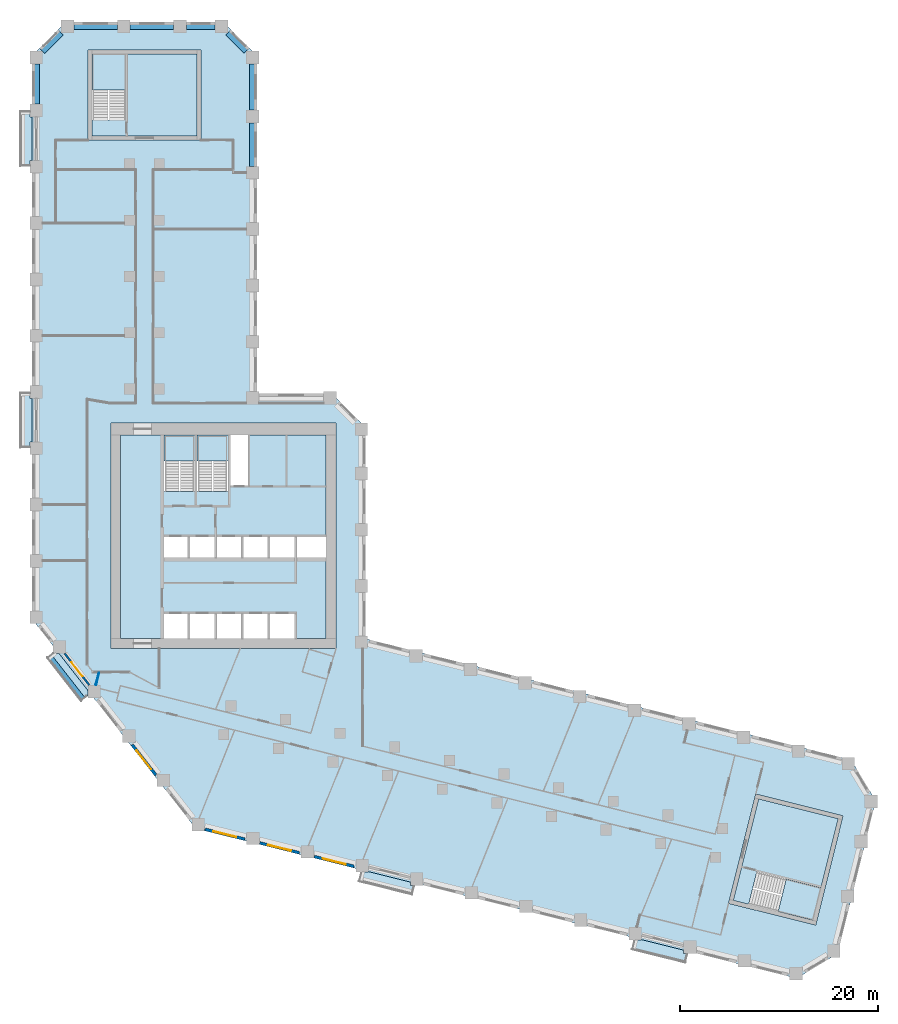
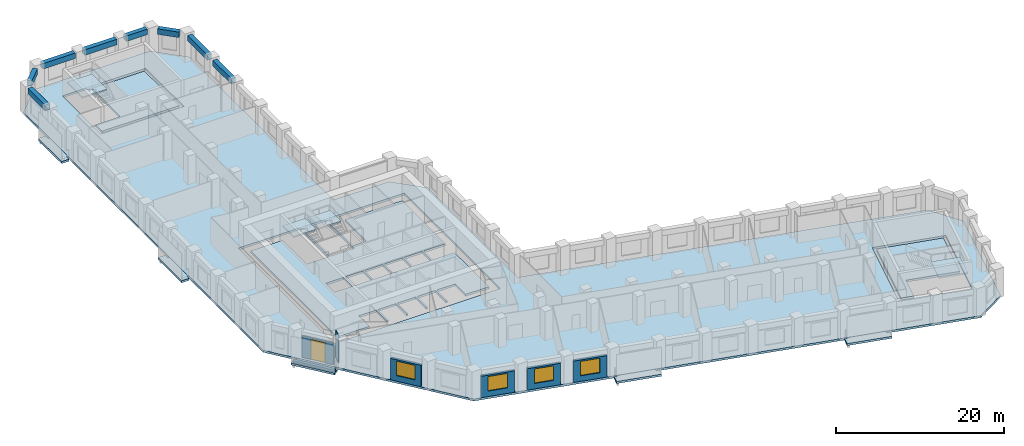
# One storey, part 2 of 10: 13 slabs, 8 beams, 7 walls, 4 windows, 1 door, 5 openings, 4 elements without a shape of their own.
"""IFC4 building model written with IfcOpenShell, lengths in metres."""

from ifc_helpers import new_model, si_unit, direction, frame, frame_2d, origin, origin_2d, place, context, subcontext, project, spatial, polyline, rectangle, outline, extrude, material, layer, layer_set, material_profile, profile_set, type_object, element, fill, aggregate, save


model = new_model("IFC4")

# Units and contexts
model_context = context("Model", 3, precision=1e-05, world=origin(), true_north=direction((0.0, 1.0)))
body_context = subcontext(model_context, "Body", "Model", "MODEL_VIEW")
ifc_project = project(units=[si_unit("LENGTHUNIT", "METRE"), si_unit("AREAUNIT", "SQUARE_METRE"), si_unit("VOLUMEUNIT", "CUBIC_METRE"), si_unit("PLANEANGLEUNIT", "RADIAN"), si_unit("MASSUNIT", "GRAM", prefix="KILO")], contexts=[model_context])

# Site, building, storey
site_placement = place(None, origin())
site = spatial("IfcSite", under=ifc_project, at=site_placement, CompositionType="ELEMENT")
building_placement = place(site_placement, origin())
building = spatial("IfcBuilding", under=site, at=building_placement, Name="Meshkara Civic Tower", CompositionType="ELEMENT")
storey_placement = place(building_placement, frame((0.0, 0.0, 126.60009765625)))
storey = spatial("IfcBuildingStorey", under=building, at=storey_placement, Name="L28", CompositionType="ELEMENT", Elevation=126.60009765625)

# Beams
ifc_material_1 = material(Name="Concrete C70", Category="concrete")
ifc_material_profile = material_profile(ifc_material_1, rectangle(XDim=0.60009765625, YDim=0.800048828125, at=origin_2d()))
ifc_profile_set = profile_set([ifc_material_profile], Name="Concrete C70")
beam_type = type_object("IfcBeamType", Name="Spandrel beam RC 600x800 C70", PredefinedType="BEAM", material=ifc_profile_set)
beam_1_placement = place(storey_placement, frame((22.35009765625, 62.89501953125, 3.5), z_axis=(0.0, 1.0, 0.0), x_axis=(-1.0, 0.0, 0.0)))
element("IfcBeam", 1, at=beam_1_placement, inside=storey, type_object=beam_type, Name="Spandrel beam AE04-AE05", PredefinedType="BEAM", context=body_context, shape_type="SweptSolid", body=[
    extrude(rectangle(XDim=0.60009765625, YDim=0.800048828125, at=origin_2d()), origin(), (0.0, 0.0, 1.0), 4.409912109375),
])
beam_2_placement = place(storey_placement, frame((22.35009765625, 68.594970703125, 3.5), z_axis=(0.0, 1.0, 0.0), x_axis=(-1.0, 0.0, 0.0)))
element("IfcBeam", 2, at=beam_2_placement, inside=storey, type_object=beam_type, Name="Spandrel beam AE05-AEEP1", PredefinedType="BEAM", context=body_context, shape_type="SweptSolid", body=[
    extrude(rectangle(XDim=0.60009765625, YDim=0.800048828125, at=origin_2d()), origin(), (0.0, 0.0, 1.0), 4.674072265625),
])
beam_3_placement = place(storey_placement, frame((21.70361328125, 74.560546875, 3.5), z_axis=(-0.707106781187, 0.707106781187, 0.0), x_axis=(-0.707106781187, -0.707106781187, 0.0)))
element("IfcBeam", 3, at=beam_3_placement, inside=storey, type_object=beam_type, Name="Spandrel beam AEEP1-ATiEP1", PredefinedType="BEAM", context=body_context, shape_type="SweptSolid", body=[
    extrude(rectangle(XDim=0.60009765625, YDim=0.800048828125, at=origin_2d()), origin(), (0.0, 0.0, 1.0), 2.634765625),
])
beam_4_placement = place(storey_placement, frame((18.549072265625, 77.070068359375, 3.5), z_axis=(-1.0, 0.0, 0.0), x_axis=(0.0, -1.0, 0.0)))
element("IfcBeam", 4, at=beam_4_placement, inside=storey, type_object=beam_type, Name="Spandrel beam AT02-P1-ATiEP1", PredefinedType="BEAM", context=body_context, shape_type="SweptSolid", body=[
    extrude(rectangle(XDim=0.60009765625, YDim=0.800048828125, at=origin_2d()), origin(), (0.0, 0.0, 1.0), 2.898193359375),
])
beam_5_placement = place(storey_placement, frame((14.361083984375, 77.070068359375, 3.5), z_axis=(-1.0, 0.0, 0.0), x_axis=(0.0, -1.0, 0.0)))
element("IfcBeam", 5, at=beam_5_placement, inside=storey, type_object=beam_type, Name="Spandrel beam AT01-P1-AT02-P1", PredefinedType="BEAM", context=body_context, shape_type="SweptSolid", body=[
    extrude(rectangle(XDim=0.60009765625, YDim=0.800048828125, at=origin_2d()), origin(), (0.0, 0.0, 1.0), 4.41015625),
])
beam_6_placement = place(storey_placement, frame((8.660888671875, 77.070068359375, 3.5), z_axis=(-1.0, 0.0, 0.0), x_axis=(0.0, -1.0, 0.0)))
element("IfcBeam", 6, at=beam_6_placement, inside=storey, type_object=beam_type, Name="Spandrel beam AT00-P1-AT01-P1", PredefinedType="BEAM", context=body_context, shape_type="SweptSolid", body=[
    extrude(rectangle(XDim=0.60009765625, YDim=0.800048828125, at=origin_2d()), origin(), (0.0, 0.0, 1.0), 4.409912109375),
])
beam_7_placement = place(storey_placement, frame((2.95947265625, 76.423583984375, 3.5), z_axis=(-0.707106781187, -0.707106781187, 0.0), x_axis=(0.707106781187, -0.707106781187, 0.0)))
element("IfcBeam", 7, at=beam_7_placement, inside=storey, type_object=beam_type, Name="Spandrel beam AT00-P1-ATo00-P1", PredefinedType="BEAM", context=body_context, shape_type="SweptSolid", body=[
    extrude(rectangle(XDim=0.60009765625, YDim=0.800048828125, at=origin_2d()), origin(), (0.0, 0.0, 1.0), 2.634765625),
])
beam_8_placement = place(storey_placement, frame((0.449951171875, 73.26904296875, 3.5), z_axis=(0.0, -1.0, 0.0), x_axis=(1.0, 0.0, 0.0)))
element("IfcBeam", 8, at=beam_8_placement, inside=storey, type_object=beam_type, Name="Spandrel beam ATo00-P1-AW09", PredefinedType="BEAM", context=body_context, shape_type="SweptSolid", body=[
    extrude(rectangle(XDim=0.60009765625, YDim=0.800048828125, at=origin_2d()), origin(), (0.0, 0.0, 1.0), 4.069091796875),
])

# Slabs
ifc_material_2 = material(Name="Concrete C40", Category="concrete")
ifc_layer_1 = layer(ifc_material_2, 0.300048828125)
ifc_layer_set_1 = layer_set([ifc_layer_1], Name="BALCONY SLAB")
slab_type_1 = type_object("IfcSlabType", Name="BALCONY SLAB", PredefinedType="FLOOR", material=ifc_layer_set_1)
slab_1_placement = place(storey_placement, frame((0.0, 0.0, -0.300048828125)))
element("IfcSlab", 9, at=slab_1_placement, inside=storey, type_object=slab_type_1, Name="Balcony slab", PredefinedType="FLOOR", context=body_context, shape_type="SweptSolid", body=[
    extrude(outline(polyline([(-1.199951171875, 62.9150390625), (-1.199951171875, 68.4951171875), (-0.199951171875, 68.4951171875), (-0.199951171875, 67.905029296875), (0.0, 67.905029296875), (0.0, 63.5048828125), (-0.199951171875, 63.5048828125), (-0.199951171875, 62.9150390625), (-1.199951171875, 62.9150390625)])), origin(), (0.0, 0.0, 1.0), 0.300048828125),
])
slab_2_placement = place(storey_placement, frame((0.0, 0.0, -0.300048828125)))
element("IfcSlab", 10, at=slab_2_placement, inside=storey, type_object=slab_type_1, Name="Balcony slab", PredefinedType="FLOOR", context=body_context, shape_type="SweptSolid", body=[
    extrude(outline(polyline([(-1.199951171875, 34.4150390625), (-1.199951171875, 39.9951171875), (-0.199951171875, 39.9951171875), (-0.199951171875, 39.405029296875), (0.0, 39.405029296875), (0.0, 35.0048828125), (-0.199951171875, 35.0048828125), (-0.199951171875, 34.4150390625), (-1.199951171875, 34.4150390625)])), origin(), (0.0, 0.0, 1.0), 0.300048828125),
])
slab_3_placement = place(storey_placement, frame((0.0, 0.0, -0.300048828125)))
element("IfcSlab", 11, at=slab_3_placement, inside=storey, type_object=slab_type_1, Name="Balcony slab", PredefinedType="FLOOR", context=body_context, shape_type="SweptSolid", body=[
    extrude(outline(polyline([(4.986083984375, 8.76904296875), (1.551025390625, 13.166015625), (2.1640625, 13.64501953125), (2.1640625, 13.5791015625), (2.7509765625, 13.5791015625), (5.673095703125, 9.839111328125), (5.673095703125, 9.304931640625), (4.986083984375, 8.76904296875)])), origin(), (0.0, 0.0, 1.0), 0.300048828125),
])
slab_4_placement = place(storey_placement, frame((0.0, 0.0, -0.300048828125)))
element("IfcSlab", 12, at=slab_4_placement, inside=storey, type_object=slab_type_1, Name="Balcony slab", PredefinedType="FLOOR", context=body_context, shape_type="SweptSolid", body=[
    extrude(outline(polyline([(38.51708984375, -10.840087890625), (33.10205078125, -9.489990234375), (33.343017578125, -8.52490234375), (34.093017578125, -8.52490234375), (34.093017578125, -8.5), (38.323974609375, -9.554931640625), (38.323974609375, -9.903076171875), (38.75, -9.903076171875), (38.51708984375, -10.840087890625)])), origin(), (0.0, 0.0, 1.0), 0.300048828125),
])
slab_5_placement = place(storey_placement, frame((0.0, 0.0, -0.300048828125)))
element("IfcSlab", 13, at=slab_5_placement, inside=storey, type_object=slab_type_1, Name="Balcony slab", PredefinedType="FLOOR", context=body_context, shape_type="SweptSolid", body=[
    extrude(outline(polyline([(66.169921875, -17.73388671875), (60.756103515625, -16.385009765625), (60.9970703125, -15.4189453125), (61.7470703125, -15.4189453125), (61.7470703125, -15.39501953125), (65.97705078125, -16.449951171875), (65.97705078125, -16.798095703125), (66.403076171875, -16.798095703125), (66.169921875, -17.73388671875)])), origin(), (0.0, 0.0, 1.0), 0.300048828125),
])
ifc_material_3 = material(Name="Concrete C40/50", Category="concrete")
ifc_layer_2 = layer(ifc_material_3, 0.300048828125)
ifc_layer_set_2 = layer_set([ifc_layer_2], Name="Core floor slab 300 C40/50")
slab_type_2 = type_object("IfcSlabType", Name="Core floor slab 300 C40/50", PredefinedType="FLOOR", material=ifc_layer_set_2)
slab_6_placement = place(storey_placement, frame((0.0, 0.0, -0.300048828125)))
element("IfcSlab", 14, at=slab_6_placement, inside=storey, type_object=slab_type_2, Name="Core floor K", PredefinedType="FLOOR", context=body_context, shape_type="SweptSolid", body=[
    extrude(outline(polyline([(9.0, 35.699951171875), (13.39990234375, 35.699951171875), (13.39990234375, 30.00146484375), (16.5, 30.00146484375), (16.5, 35.699951171875), (16.699951171875, 35.699951171875), (16.699951171875, 30.00146484375), (19.89990234375, 30.00146484375), (19.89990234375, 35.699951171875), (20.10009765625, 35.699951171875), (20.10009765625, 30.574951171875), (21.925048828125, 30.574951171875), (21.925048828125, 35.699951171875), (29.800048828125, 35.699951171875), (29.800048828125, 25.39990234375), (26.800048828125, 25.39990234375), (26.800048828125, 23.300048828125), (29.800048828125, 23.300048828125), (29.800048828125, 15.10009765625), (26.60009765625, 15.10009765625), (26.60009765625, 17.60009765625), (24.10009765625, 17.60009765625), (24.10009765625, 15.10009765625), (23.89990234375, 15.10009765625), (23.89990234375, 17.60009765625), (21.39990234375, 17.60009765625), (21.39990234375, 15.10009765625), (21.199951171875, 15.10009765625), (21.199951171875, 17.60009765625), (18.699951171875, 17.60009765625), (18.699951171875, 15.10009765625), (18.5, 15.10009765625), (18.5, 17.60009765625), (16.0, 17.60009765625), (16.0, 15.10009765625), (15.800048828125, 15.10009765625), (15.800048828125, 17.60009765625), (13.39990234375, 17.60009765625), (13.39990234375, 15.10009765625), (9.0, 15.10009765625), (9.0, 35.699951171875)]), holes=[polyline([(13.39990234375, 25.39990234375), (13.39990234375, 23.300048828125), (15.800048828125, 23.300048828125), (15.800048828125, 25.39990234375), (13.39990234375, 25.39990234375)]), polyline([(18.5, 23.300048828125), (18.5, 25.39990234375), (16.0, 25.39990234375), (16.0, 23.300048828125), (18.5, 23.300048828125)]), polyline([(18.699951171875, 25.39990234375), (18.699951171875, 23.300048828125), (21.199951171875, 23.300048828125), (21.199951171875, 25.39990234375), (18.699951171875, 25.39990234375)]), polyline([(23.89990234375, 23.300048828125), (23.89990234375, 25.39990234375), (21.39990234375, 25.39990234375), (21.39990234375, 23.300048828125), (23.89990234375, 23.300048828125)]), polyline([(26.60009765625, 23.300048828125), (26.60009765625, 25.39990234375), (24.10009765625, 25.39990234375), (24.10009765625, 23.300048828125), (26.60009765625, 23.300048828125)])]), origin(), (0.0, 0.0, 1.0), 0.300048828125),
])
slab_7_placement = place(storey_placement, frame((0.0, 0.0, -0.300048828125)))
element("IfcSlab", 15, at=slab_7_placement, inside=storey, type_object=slab_type_2, Name="Core floor EA", PredefinedType="FLOOR", context=body_context, shape_type="SweptSolid", body=[
    extrude(outline(polyline([(16.699951171875, 65.969970703125), (16.699951171875, 74.27001953125), (9.5, 74.27001953125), (9.5, 67.571533203125), (6.10009765625, 67.571533203125), (6.10009765625, 65.969970703125), (16.699951171875, 65.969970703125)])), origin(), (0.0, 0.0, 1.0), 0.300048828125),
])
slab_8_placement = place(storey_placement, frame((0.0, 0.0, -0.300048828125)))
element("IfcSlab", 16, at=slab_8_placement, inside=storey, type_object=slab_type_2, Name="Core floor EB", PredefinedType="FLOOR", context=body_context, shape_type="SweptSolid", body=[
    extrude(outline(polyline([(73.581298828125, -1.134521484375), (81.634521484375, -3.142578125), (79.892822265625, -10.128662109375), (73.393310546875, -8.508056640625), (72.57080078125, -11.80712890625), (71.016845703125, -11.419677734375), (73.581298828125, -1.134521484375)])), origin(), (0.0, 0.0, 1.0), 0.300048828125),
])

# Stair, slab
ifc_material_4 = material(Name="Precast concrete C40/50", Category="concrete")
stair_type_1 = type_object("IfcStairType", Name="Exit stair half-turn 24 risers precast", PredefinedType="HALF_TURN_STAIR", material=ifc_material_4)
stair_1_placement = place(storey_placement, origin())
stair_1 = element("IfcStair", 17, at=stair_1_placement, inside=storey, type_object=stair_type_1, Name="L28 exit stair 1", PredefinedType="HALF_TURN_STAIR")
ifc_material_5 = material(Name="Precast concrete C40/50", Category="concrete")
ifc_layer_3 = layer(ifc_material_5, 0.199951171875)
ifc_layer_set_3 = layer_set([ifc_layer_3], Name="Exit stair landing 200")
slab_type_3 = type_object("IfcSlabType", Name="Exit stair landing 200", PredefinedType="LANDING", material=ifc_layer_set_3)
slab_9_placement = place(storey_placement, frame((0.0, 0.0, 1.89990234375)))
slab_9 = element("IfcSlab", 18, at=slab_9_placement, type_object=slab_type_3, Name="ST1 landing 1", PredefinedType="LANDING", context=body_context, shape_type="SweptSolid", body=[
    extrude(outline(polyline([(16.5, 33.07861328125), (16.5, 35.699951171875), (13.39990234375, 35.699951171875), (13.39990234375, 33.07861328125), (16.5, 33.07861328125)])), origin(), (0.0, 0.0, 1.0), 0.199951171875),
])
aggregate(stair_1, [slab_9])

stair_2_placement = place(storey_placement, origin())
stair_2 = element("IfcStair", 19, at=stair_2_placement, inside=storey, type_object=stair_type_1, Name="L28 exit stair 2", PredefinedType="HALF_TURN_STAIR")
slab_10_placement = place(storey_placement, frame((0.0, 0.0, 1.89990234375)))
slab_10 = element("IfcSlab", 20, at=slab_10_placement, type_object=slab_type_3, Name="ST2 landing 1", PredefinedType="LANDING", context=body_context, shape_type="SweptSolid", body=[
    extrude(outline(polyline([(19.89990234375, 33.07861328125), (19.89990234375, 35.699951171875), (16.699951171875, 35.699951171875), (16.699951171875, 33.07861328125), (19.89990234375, 33.07861328125)])), origin(), (0.0, 0.0, 1.0), 0.199951171875),
])
aggregate(stair_2, [slab_10])

ifc_material_6 = material(Name="Precast concrete C40/50", Category="concrete")
stair_type_2 = type_object("IfcStairType", Name="Exit stair half-turn 24 risers 1600 precast", PredefinedType="HALF_TURN_STAIR", material=ifc_material_6)
stair_3_placement = place(storey_placement, origin())
stair_3 = element("IfcStair", 21, at=stair_3_placement, inside=storey, type_object=stair_type_2, Name="L28 exit stair A from L20", PredefinedType="HALF_TURN_STAIR")
slab_11_placement = place(storey_placement, frame((0.0, 0.0, 1.89990234375)))
slab_11 = element("IfcSlab", 22, at=slab_11_placement, type_object=slab_type_3, Name="ESA2 landing 1", PredefinedType="LANDING", context=body_context, shape_type="SweptSolid", body=[
    extrude(outline(polyline([(9.5, 70.6484375), (9.5, 74.27001953125), (6.10009765625, 74.27001953125), (6.10009765625, 70.6484375), (9.5, 70.6484375)])), origin(), (0.0, 0.0, 1.0), 0.199951171875),
])
aggregate(stair_3, [slab_11])

stair_4_placement = place(storey_placement, origin())
stair_4 = element("IfcStair", 23, at=stair_4_placement, inside=storey, type_object=stair_type_2, Name="L28 exit stair B from L20", PredefinedType="HALF_TURN_STAIR")
slab_12_placement = place(storey_placement, frame((0.0, 0.0, 1.89990234375)))
slab_12 = element("IfcSlab", 24, at=slab_12_placement, type_object=slab_type_3, Name="ESB2 landing 1", PredefinedType="LANDING", context=body_context, shape_type="SweptSolid", body=[
    extrude(outline(polyline([(75.5556640625, -12.55224609375), (79.06982421875, -13.428955078125), (79.89306640625, -10.12890625), (76.379150390625, -9.25244140625), (75.5556640625, -12.55224609375)])), origin(), (0.0, 0.0, 1.0), 0.199951171875),
])
aggregate(stair_4, [slab_12])

# Slab
ifc_material_7 = material(Name="Concrete C50", Category="concrete")
ifc_layer_4 = layer(ifc_material_7, 0.300048828125)
ifc_layer_set_4 = layer_set([ifc_layer_4], Name="Post-tensioned flat slab 300 C50")
slab_type_4 = type_object("IfcSlabType", Name="Post-tensioned flat slab 300 C50", PredefinedType="FLOOR", material=ifc_layer_set_4)
slab_13_placement = place(storey_placement, frame((0.0, 0.0, -0.300048828125)))
element("IfcSlab", 25, at=slab_13_placement, inside=storey, type_object=slab_type_4, Name="Post-tensioned flat slab L28", PredefinedType="FLOOR", context=body_context, shape_type="SweptSolid", body=[
    extrude(outline(polyline([(81.574951171875, -16.81396484375), (77.429931640625, -19.304931640625), (16.592041015625, -4.136962890625), (0.0, 17.10009765625), (0.0, 74.10009765625), (3.419921875, 77.52001953125), (19.3798828125, 77.52001953125), (22.800048828125, 74.10009765625), (22.800048828125, 39.89990234375), (30.3798828125, 39.89990234375), (33.800048828125, 36.47998046875), (33.800048828125, 15.071044921875), (82.945068359375, 2.81689453125), (85.43603515625, -1.327880859375), (81.574951171875, -16.81396484375)]), holes=[polyline([(79.362060546875, -13.9130859375), (82.1201171875, -2.85107421875), (73.2900390625, -0.64990234375), (70.531982421875, -11.7109375), (79.362060546875, -13.9130859375)]), polyline([(8.0, 14.10009765625), (30.800048828125, 14.10009765625), (30.800048828125, 36.89990234375), (8.0, 36.89990234375), (8.0, 14.10009765625)]), polyline([(5.699951171875, 74.669921875), (5.699951171875, 65.570068359375), (17.10009765625, 65.570068359375), (17.10009765625, 74.669921875), (5.699951171875, 74.669921875)])]), origin(), (0.0, 0.0, 1.0), 0.300048828125),
])

# Wall, opening, window
ifc_material_8 = material(Name="Insulated infill panel with bronze anodised aluminium cladding", Category="aluminium")
ifc_layer_5 = layer(ifc_material_8, 0.300048828125)
ifc_layer_set_5 = layer_set([ifc_layer_5], Name="EXTERNAL INFILL WALL 300")
wall_type_1 = type_object("IfcWallType", Name="EXTERNAL INFILL WALL 300", PredefinedType="SOLIDWALL", material=ifc_layer_set_5)
wall_1_placement = place(storey_placement, frame((10.157958984375, 4.341064453125, 0.0), z_axis=(0.0, 0.0, 1.0), x_axis=(0.615779754703, -0.787918329332, 0.0)))
wall_1 = element("IfcWall", 26, at=wall_1_placement, inside=storey, type_object=wall_type_1, Name="External wall", PredefinedType="SOLIDWALL", context=body_context, shape_type="SweptSolid", body=[
    extrude(rectangle(XDim=3.874755859375, YDim=0.300048828125, at=frame_2d((1.9375, 0.0))), origin(), (0.0, 0.0, 1.0), 3.099853515625),
])
opening_1_placement = place(wall_1_placement, frame((0.737060546875, 0.0, 0.800048828125)))
opening_1 = element("IfcOpeningElement", 27, at=opening_1_placement, cuts=wall_1, Name="Opening W7", PredefinedType="OPENING", context=body_context, shape_type="SweptSolid", body=[
    extrude(rectangle(XDim=2.39990234375, YDim=2.10009765625, at=frame_2d((1.199951171875, 1.050048828125))), frame((0.0, 0.159912109375, 0.0), z_axis=(0.0, -1.0, 0.0), x_axis=(1.0, 0.0, 0.0)), (0.0, 0.0, 1.0), 0.320068359375),
])
ifc_material_9 = material(Name="Tinted double glazing", Category="glass")
window_type = type_object("IfcWindowType", Name="WINDOW 2400x2100", PartitioningType="DOUBLE_PANEL_VERTICAL", PredefinedType="WINDOW", material=ifc_material_9)
window_1_placement = place(opening_1_placement, origin())
window_1 = element("IfcWindow", 28, at=window_1_placement, inside=storey, type_object=window_type, Name="Window", OverallHeight=2.10009765625, OverallWidth=2.39990234375, PartitioningType="DOUBLE_PANEL_VERTICAL", PredefinedType="WINDOW", context=body_context, shape_type="SweptSolid", body=[
    extrude(rectangle(XDim=2.39990234375, YDim=2.10009765625, at=frame_2d((1.199951171875, 1.050048828125))), frame((0.0, 0.030029296875, 0.0), z_axis=(0.0, -1.0, 0.0), x_axis=(1.0, 0.0, 0.0)), (0.0, 0.0, 1.0), 0.06005859375),
])
fill(opening_1, window_1)

wall_2_placement = place(storey_placement, frame((17.54296875, -4.219970703125, 0.0), z_axis=(0.0, 0.0, 1.0), x_axis=(0.970337184445, -0.241755555227, 0.0)))
wall_2 = element("IfcWall", 29, at=wall_2_placement, inside=storey, type_object=wall_type_1, Name="External wall", PredefinedType="SOLIDWALL", context=body_context, shape_type="SweptSolid", body=[
    extrude(rectangle(XDim=4.124267578125, YDim=0.300048828125, at=frame_2d((2.06201171875, 0.0))), origin(), (0.0, 0.0, 1.0), 3.099853515625),
])
opening_2_placement = place(wall_2_placement, frame((0.862060546875, 0.0, 0.800048828125)))
opening_2 = element("IfcOpeningElement", 30, at=opening_2_placement, cuts=wall_2, Name="Opening W7", PredefinedType="OPENING", context=body_context, shape_type="SweptSolid", body=[
    extrude(rectangle(XDim=2.39990234375, YDim=2.10009765625, at=frame_2d((1.199951171875, 1.050048828125))), frame((0.0, 0.159912109375, 0.0), z_axis=(0.0, -1.0, 0.0), x_axis=(1.0, 0.0, 0.0)), (0.0, 0.0, 1.0), 0.320068359375),
])
window_2_placement = place(opening_2_placement, origin())
window_2 = element("IfcWindow", 31, at=window_2_placement, inside=storey, type_object=window_type, Name="Window", OverallHeight=2.10009765625, OverallWidth=2.39990234375, PartitioningType="DOUBLE_PANEL_VERTICAL", PredefinedType="WINDOW", context=body_context, shape_type="SweptSolid", body=[
    extrude(rectangle(XDim=2.39990234375, YDim=2.10009765625, at=frame_2d((1.199951171875, 1.050048828125))), frame((0.0, 0.030029296875, 0.0), z_axis=(0.0, -1.0, 0.0), x_axis=(1.0, 0.0, 0.0)), (0.0, 0.0, 1.0), 0.06005859375),
])
fill(opening_2, window_2)

wall_3_placement = place(storey_placement, frame((23.073974609375, -5.597900390625, 0.0), z_axis=(0.0, 0.0, 1.0), x_axis=(0.970267747908, -0.242034083076, 0.0)))
wall_3 = element("IfcWall", 32, at=wall_3_placement, inside=storey, type_object=wall_type_1, Name="External wall", PredefinedType="SOLIDWALL", context=body_context, shape_type="SweptSolid", body=[
    extrude(rectangle(XDim=4.12353515625, YDim=0.300048828125, at=frame_2d((2.061767578125, 0.0))), origin(), (0.0, 0.0, 1.0), 3.099853515625),
])
opening_3_placement = place(wall_3_placement, frame((0.862060546875, 0.0, 0.800048828125)))
opening_3 = element("IfcOpeningElement", 33, at=opening_3_placement, cuts=wall_3, Name="Opening W7", PredefinedType="OPENING", context=body_context, shape_type="SweptSolid", body=[
    extrude(rectangle(XDim=2.39990234375, YDim=2.10009765625, at=frame_2d((1.199951171875, 1.050048828125))), frame((0.0, 0.159912109375, 0.0), z_axis=(0.0, -1.0, 0.0), x_axis=(1.0, 0.0, 0.0)), (0.0, 0.0, 1.0), 0.320068359375),
])
window_3_placement = place(opening_3_placement, origin())
window_3 = element("IfcWindow", 34, at=window_3_placement, inside=storey, type_object=window_type, Name="Window", OverallHeight=2.10009765625, OverallWidth=2.39990234375, PartitioningType="DOUBLE_PANEL_VERTICAL", PredefinedType="WINDOW", context=body_context, shape_type="SweptSolid", body=[
    extrude(rectangle(XDim=2.39990234375, YDim=2.10009765625, at=frame_2d((1.199951171875, 1.050048828125))), frame((0.0, 0.030029296875, 0.0), z_axis=(0.0, -1.0, 0.0), x_axis=(1.0, 0.0, 0.0)), (0.0, 0.0, 1.0), 0.06005859375),
])
fill(opening_3, window_3)

wall_4_placement = place(storey_placement, frame((28.60400390625, -6.97705078125, 0.0), z_axis=(0.0, 0.0, 1.0), x_axis=(0.970281616392, -0.241978480223, 0.0)))
wall_4 = element("IfcWall", 35, at=wall_4_placement, inside=storey, type_object=wall_type_1, Name="External wall", PredefinedType="SOLIDWALL", context=body_context, shape_type="SweptSolid", body=[
    extrude(rectangle(XDim=4.12451171875, YDim=0.300048828125, at=frame_2d((2.062255859375, 0.0))), origin(), (0.0, 0.0, 1.0), 3.099853515625),
])
opening_4_placement = place(wall_4_placement, frame((0.862060546875, 0.0, 0.800048828125)))
opening_4 = element("IfcOpeningElement", 36, at=opening_4_placement, cuts=wall_4, Name="Opening W7", PredefinedType="OPENING", context=body_context, shape_type="SweptSolid", body=[
    extrude(rectangle(XDim=2.39990234375, YDim=2.10009765625, at=frame_2d((1.199951171875, 1.050048828125))), frame((0.0, 0.159912109375, 0.0), z_axis=(0.0, -1.0, 0.0), x_axis=(1.0, 0.0, 0.0)), (0.0, 0.0, 1.0), 0.320068359375),
])
window_4_placement = place(opening_4_placement, origin())
window_4 = element("IfcWindow", 37, at=window_4_placement, inside=storey, type_object=window_type, Name="Window", OverallHeight=2.10009765625, OverallWidth=2.39990234375, PartitioningType="DOUBLE_PANEL_VERTICAL", PredefinedType="WINDOW", context=body_context, shape_type="SweptSolid", body=[
    extrude(rectangle(XDim=2.39990234375, YDim=2.10009765625, at=frame_2d((1.199951171875, 1.050048828125))), frame((0.0, 0.030029296875, 0.0), z_axis=(0.0, -1.0, 0.0), x_axis=(1.0, 0.0, 0.0)), (0.0, 0.0, 1.0), 0.06005859375),
])
fill(opening_4, window_4)

# Wall, opening, door
ifc_material_10 = material(Name="Insulated infill panel with bronze anodised aluminium cladding", Category="aluminium")
ifc_layer_6 = layer(ifc_material_10, 0.199951171875)
ifc_layer_set_6 = layer_set([ifc_layer_6], Name="LOGGIA BACK WALL 200")
wall_type_2 = type_object("IfcWallType", Name="LOGGIA BACK WALL 200", PredefinedType="SOLIDWALL", material=ifc_layer_set_6)
wall_5_placement = place(storey_placement, frame((3.322021484375, 13.5791015625, 0.0), z_axis=(0.0, 0.0, 1.0), x_axis=(0.615500153734, -0.78813676526, 0.0)))
wall_5 = element("IfcWall", 38, at=wall_5_placement, inside=storey, type_object=wall_type_2, Name="Loggia wall", PredefinedType="SOLIDWALL", context=body_context, shape_type="SweptSolid", body=[
    extrude(rectangle(XDim=4.05029296875, YDim=0.199951171875, at=frame_2d((2.025146484375, 0.0))), origin(), (0.0, 0.0, 1.0), 3.099853515625),
])
opening_5_placement = place(wall_5_placement, frame((1.125, 0.0, 0.0)))
opening_5 = element("IfcOpeningElement", 39, at=opening_5_placement, cuts=wall_5, Name="Opening L28-L003", PredefinedType="OPENING", context=body_context, shape_type="SweptSolid", body=[
    extrude(rectangle(XDim=1.800048828125, YDim=2.89990234375, at=frame_2d((0.89990234375, 1.449951171875))), frame((0.0, 0.10986328125, 0.0), z_axis=(0.0, -1.0, 0.0), x_axis=(1.0, 0.0, 0.0)), (0.0, 0.0, 1.0), 0.219970703125),
])
ifc_material_11 = material(Name="Tinted double glazing", Category="glass")
door_type = type_object("IfcDoorType", Name="LOGGIA DOOR 1800x2900", OperationType="DOUBLE_DOOR_SINGLE_SWING", PredefinedType="DOOR", material=ifc_material_11)
door_placement = place(opening_5_placement, origin())
door = element("IfcDoor", 40, at=door_placement, inside=storey, type_object=door_type, Name="L28-L003", OperationType="DOUBLE_DOOR_SINGLE_SWING", OverallHeight=2.89990234375, OverallWidth=1.800048828125, PredefinedType="DOOR", context=body_context, shape_type="SweptSolid", body=[
    extrude(rectangle(XDim=1.800048828125, YDim=2.89990234375, at=frame_2d((0.89990234375, 1.449951171875))), frame((0.0, 0.02490234375, 0.0), z_axis=(0.0, -1.0, 0.0), x_axis=(1.0, 0.0, 0.0)), (0.0, 0.0, 1.0), 0.050048828125),
])
fill(opening_5, door)

# Walls
ifc_material_12 = material(Name="Concrete C40", Category="concrete")
ifc_layer_7 = layer(ifc_material_12, 0.39990234375)
ifc_layer_set_7 = layer_set([ifc_layer_7], Name="PLANTER TRAY")
wall_type_3 = type_object("IfcWallType", Name="PLANTER TRAY", PredefinedType="SOLIDWALL", material=ifc_layer_set_7)
wall_6_placement = place(storey_placement, frame((1.87109375, 13.27587890625, 0.0), z_axis=(0.0, 0.0, 1.0), x_axis=(0.615632551218, -0.788033350741, 0.0)))
element("IfcWall", 41, at=wall_6_placement, inside=storey, type_object=wall_type_3, Name="Planter", PredefinedType="SOLIDWALL", context=body_context, shape_type="SweptSolid", body=[
    extrude(rectangle(XDim=5.360107421875, YDim=0.39990234375, at=frame_2d((2.68017578125, 0.0))), origin(), (0.0, 0.0, 1.0), 0.2998046875),
])
ifc_material_13 = material(Name="Partition 100")
ifc_layer_8 = layer(ifc_material_13, 0.10009765625)
ifc_layer_set_8 = layer_set([ifc_layer_8], Name="Partition 100")
wall_type_4 = type_object("IfcWallType", Name="Partition 100", PredefinedType="PARTITIONING", material=ifc_layer_set_8)
wall_7_placement = place(storey_placement, frame((6.797119140625, 11.637939453125, 0.0), z_axis=(0.0, 0.0, 1.0), x_axis=(-0.242000927221, -0.970276018061, 0.0)))
element("IfcWall", 42, at=wall_7_placement, inside=storey, type_object=wall_type_4, Name="L28-W035", PredefinedType="PARTITIONING", context=body_context, shape_type="SweptSolid", body=[
    extrude(rectangle(XDim=1.289306640625, YDim=0.10009765625, at=frame_2d((0.64453125, 0.0))), origin(), (0.0, 0.0, 1.0), 3.89990234375),
])

save(model, "model.ifc")
